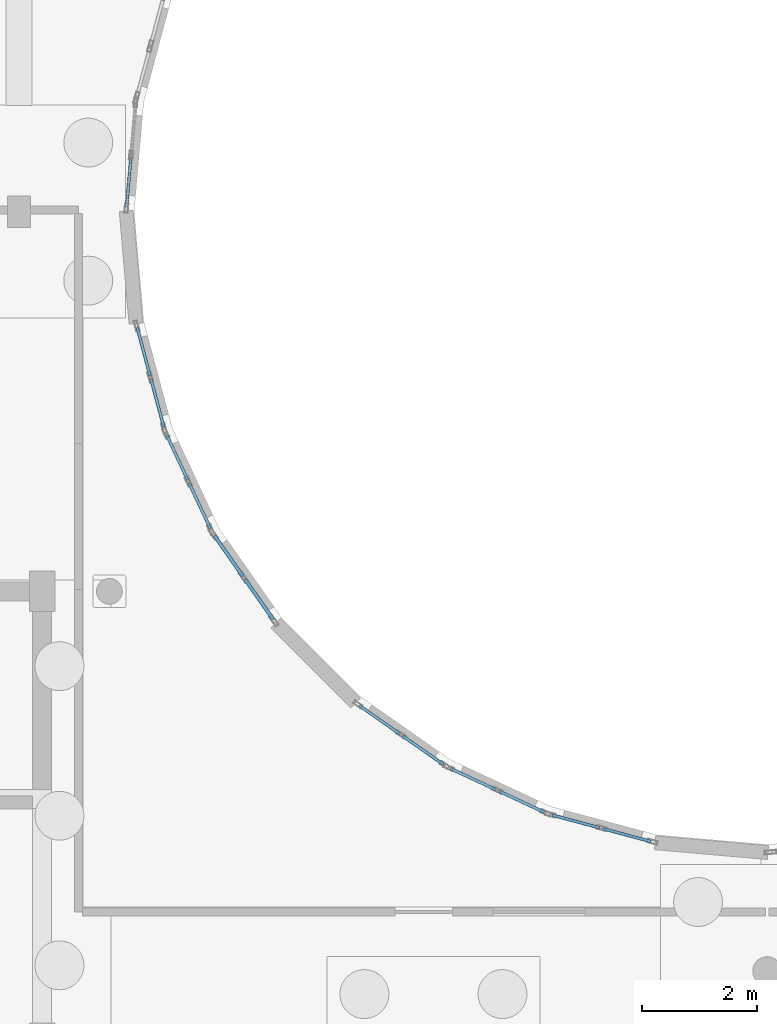
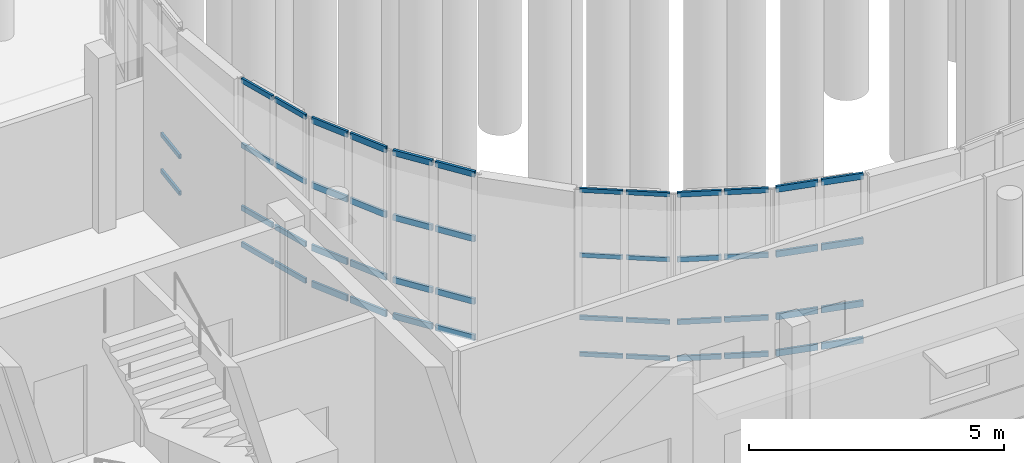
# One storey, part 39 of 93: 50 members, 7 elements without a shape of their own.
"""IFC4 building model written with IfcOpenShell, lengths in metres."""

from ifc_helpers import new_model, si_unit, direction, frame, origin, origin_2d, place, context, subcontext, project, spatial, hollow_rectangle, extrude, material, layer, layer_set, material_profile, profile_set, type_object, element, aggregate, save


model = new_model("IFC4")

# Units and contexts
model_context = context("Model", 3, precision=1e-05, world=origin(), true_north=direction((0.0, 1.0)))
body_context = subcontext(model_context, "Body", "Model", "MODEL_VIEW")
ifc_project = project(units=[si_unit("LENGTHUNIT", "METRE"), si_unit("AREAUNIT", "SQUARE_METRE"), si_unit("VOLUMEUNIT", "CUBIC_METRE"), si_unit("PLANEANGLEUNIT", "RADIAN"), si_unit("MASSUNIT", "GRAM", prefix="KILO")], contexts=[model_context])

# Site, building, storey
site_placement = place(None, origin())
site = spatial("IfcSite", under=ifc_project, at=site_placement, CompositionType="ELEMENT")
building_placement = place(site_placement, origin())
building = spatial("IfcBuilding", under=site, at=building_placement, Name="Kelanivale Promenade Academy", CompositionType="ELEMENT")
storey_placement = place(building_placement, origin())
storey = spatial("IfcBuildingStorey", under=building, at=storey_placement, Name="L00", CompositionType="ELEMENT", Elevation=0.0)

# Curtain wall, members
ifc_material_1 = material(Name="Bronze anodised aluminium and solar-control low-E glass", Category="aluminium")
ifc_layer_1 = layer(ifc_material_1, 0.169921875)
ifc_layer_set_1 = layer_set([ifc_layer_1], Name="Bronze anodised aluminium and solar-control low-E glass")
curtain_wall_type_1 = type_object("IfcCurtainWallType", Name="CW-13 Curtain Wall 1350mm Module", PredefinedType="USERDEFINED", material=ifc_layer_set_1)
curtain_wall_1_placement = place(storey_placement, origin())
curtain_wall_1 = element("IfcCurtainWall", 1, at=curtain_wall_1_placement, inside=storey, type_object=curtain_wall_type_1, Name="L00 courtyard curtain wall CW-13", ObjectType="COURTYARD SCREEN GLAZING", PredefinedType="USERDEFINED")
ifc_material_2 = material(Name="Bronze anodised aluminium EN AW-6063 T6", Category="aluminium")
ifc_material_profile_1 = material_profile(ifc_material_2, hollow_rectangle(XDim=0.050048828125, YDim=0.10009765625, WallThickness=0.0029296875, at=origin_2d()), Name="ALU 50x100x3.0")
ifc_profile_set_1 = profile_set([ifc_material_profile_1], Name="Bronze anodised aluminium EN AW-6063 T6")
member_type_1 = type_object("IfcMemberType", Name="CWT-01 ALU 50x100x3.0", PredefinedType="USERDEFINED", material=ifc_profile_set_1)
member_1_placement = place(storey_placement, frame((52.34228515625, 57.74462890625, 0.02490234375), z_axis=(-0.087033311997, -0.996205401814, 0.0), x_axis=(0.996205401814, -0.087033311997, 0.0)))
member_1 = element("IfcMember", 2, at=member_1_placement, type_object=member_type_1, Name="CW-13 transom 2.1", ObjectType="TRANSOM", PredefinedType="USERDEFINED", context=body_context, shape_type="SweptSolid", body=[
    extrude(hollow_rectangle(XDim=0.050048828125, YDim=0.10009765625, WallThickness=0.0029296875, at=origin_2d()), origin(), (0.0, 0.0, 1.0), 0.861083984375),
])
member_2_placement = place(storey_placement, frame((52.34228515625, 57.74462890625, 0.89990234375), z_axis=(-0.087033311997, -0.996205401814, 0.0), x_axis=(0.996205401814, -0.087033311997, 0.0)))
member_2 = element("IfcMember", 3, at=member_2_placement, type_object=member_type_1, Name="CW-13 transom 2.2", ObjectType="TRANSOM", PredefinedType="USERDEFINED", context=body_context, shape_type="SweptSolid", body=[
    extrude(hollow_rectangle(XDim=0.050048828125, YDim=0.10009765625, WallThickness=0.0029296875, at=origin_2d()), origin(), (0.0, 0.0, 1.0), 0.861083984375),
])
aggregate(curtain_wall_1, [member_1, member_2])

ifc_layer_2 = layer(ifc_material_1, 0.179931640625)
ifc_layer_set_2 = layer_set([ifc_layer_2], Name="Bronze anodised aluminium and solar-control low-E glass")
curtain_wall_type_2 = type_object("IfcCurtainWallType", Name="CW-17 Curtain Wall 1950mm Module", PredefinedType="USERDEFINED", material=ifc_layer_set_2)
curtain_wall_2_placement = place(storey_placement, origin())
curtain_wall_2 = element("IfcCurtainWall", 4, at=curtain_wall_2_placement, inside=storey, type_object=curtain_wall_type_2, Name="L00 courtyard curtain wall CW-17", ObjectType="COURTYARD SCREEN GLAZING", PredefinedType="USERDEFINED")
member_3_placement = place(storey_placement, frame((56.31005859375, 48.215576171875, 0.02490234375), z_axis=(0.819325110144, -0.573329193297, 0.0), x_axis=(0.573329193297, 0.819325110144, 0.0)))
member_3 = element("IfcMember", 5, at=member_3_placement, type_object=member_type_1, Name="CW-17 transom 1.1", ObjectType="TRANSOM", PredefinedType="USERDEFINED", context=body_context, shape_type="SweptSolid", body=[
    extrude(hollow_rectangle(XDim=0.050048828125, YDim=0.10009765625, WallThickness=0.0029296875, at=origin_2d()), origin(), (0.0, 0.0, 1.0), 0.861572265625),
])
member_4_placement = place(storey_placement, frame((56.31005859375, 48.215576171875, 0.89990234375), z_axis=(0.819325110144, -0.573329193297, 0.0), x_axis=(0.573329193297, 0.819325110144, 0.0)))
member_4 = element("IfcMember", 6, at=member_4_placement, type_object=member_type_1, Name="CW-17 transom 1.2", ObjectType="TRANSOM", PredefinedType="USERDEFINED", context=body_context, shape_type="SweptSolid", body=[
    extrude(hollow_rectangle(XDim=0.050048828125, YDim=0.10009765625, WallThickness=0.0029296875, at=origin_2d()), origin(), (0.0, 0.0, 1.0), 0.861572265625),
])
member_5_placement = place(storey_placement, frame((56.31005859375, 48.215576171875, 2.39990234375), z_axis=(0.819325110144, -0.573329193297, 0.0), x_axis=(0.573329193297, 0.819325110144, 0.0)))
member_5 = element("IfcMember", 7, at=member_5_placement, type_object=member_type_1, Name="CW-17 transom 1.3", ObjectType="TRANSOM", PredefinedType="USERDEFINED", context=body_context, shape_type="SweptSolid", body=[
    extrude(hollow_rectangle(XDim=0.050048828125, YDim=0.10009765625, WallThickness=0.0029296875, at=origin_2d()), origin(), (0.0, 0.0, 1.0), 0.861572265625),
])
member_6_placement = place(storey_placement, frame((56.31005859375, 48.215576171875, 3.955078125), z_axis=(0.819325110144, -0.573329193297, 0.0), x_axis=(0.573329193297, 0.819325110144, 0.0)))
member_6 = element("IfcMember", 8, at=member_6_placement, type_object=member_type_1, Name="CW-17 transom 1.4", ObjectType="TRANSOM", PredefinedType="USERDEFINED", context=body_context, shape_type="SweptSolid", body=[
    extrude(hollow_rectangle(XDim=0.050048828125, YDim=0.10009765625, WallThickness=0.0029296875, at=origin_2d()), origin(), (0.0, 0.0, 1.0), 0.861572265625),
])
member_7_placement = place(storey_placement, frame((57.065185546875, 47.687255859375, 0.02490234375), z_axis=(0.819231920519, -0.573462344363, 0.0), x_axis=(0.573462344363, 0.819231920519, 0.0)))
member_7 = element("IfcMember", 9, at=member_7_placement, type_object=member_type_1, Name="CW-17 transom 2.1", ObjectType="TRANSOM", PredefinedType="USERDEFINED", context=body_context, shape_type="SweptSolid", body=[
    extrude(hollow_rectangle(XDim=0.050048828125, YDim=0.10009765625, WallThickness=0.0029296875, at=origin_2d()), origin(), (0.0, 0.0, 1.0), 0.861328125),
])
member_8_placement = place(storey_placement, frame((57.065185546875, 47.687255859375, 0.89990234375), z_axis=(0.819231920519, -0.573462344363, 0.0), x_axis=(0.573462344363, 0.819231920519, 0.0)))
member_8 = element("IfcMember", 10, at=member_8_placement, type_object=member_type_1, Name="CW-17 transom 2.2", ObjectType="TRANSOM", PredefinedType="USERDEFINED", context=body_context, shape_type="SweptSolid", body=[
    extrude(hollow_rectangle(XDim=0.050048828125, YDim=0.10009765625, WallThickness=0.0029296875, at=origin_2d()), origin(), (0.0, 0.0, 1.0), 0.861328125),
])
member_9_placement = place(storey_placement, frame((57.065185546875, 47.687255859375, 2.39990234375), z_axis=(0.819231920519, -0.573462344363, 0.0), x_axis=(0.573462344363, 0.819231920519, 0.0)))
member_9 = element("IfcMember", 11, at=member_9_placement, type_object=member_type_1, Name="CW-17 transom 2.3", ObjectType="TRANSOM", PredefinedType="USERDEFINED", context=body_context, shape_type="SweptSolid", body=[
    extrude(hollow_rectangle(XDim=0.050048828125, YDim=0.10009765625, WallThickness=0.0029296875, at=origin_2d()), origin(), (0.0, 0.0, 1.0), 0.861328125),
])
member_10_placement = place(storey_placement, frame((57.065185546875, 47.687255859375, 3.955078125), z_axis=(0.819231920519, -0.573462344363, 0.0), x_axis=(0.573462344363, 0.819231920519, 0.0)))
member_10 = element("IfcMember", 12, at=member_10_placement, type_object=member_type_1, Name="CW-17 transom 2.4", ObjectType="TRANSOM", PredefinedType="USERDEFINED", context=body_context, shape_type="SweptSolid", body=[
    extrude(hollow_rectangle(XDim=0.050048828125, YDim=0.10009765625, WallThickness=0.0029296875, at=origin_2d()), origin(), (0.0, 0.0, 1.0), 0.861328125),
])
aggregate(curtain_wall_2, [member_3, member_4, member_5, member_6, member_7, member_8, member_9, member_10])

ifc_layer_3 = layer(ifc_material_1, 0.179931640625)
ifc_layer_set_3 = layer_set([ifc_layer_3], Name="Bronze anodised aluminium and solar-control low-E glass")
curtain_wall_type_3 = type_object("IfcCurtainWallType", Name="CW-14 Curtain Wall 1500mm Module", PredefinedType="USERDEFINED", material=ifc_layer_set_3)
curtain_wall_3_placement = place(storey_placement, origin())
curtain_wall_3 = element("IfcCurtainWall", 13, at=curtain_wall_3_placement, inside=storey, type_object=curtain_wall_type_3, Name="L00 courtyard curtain wall CW-14", ObjectType="COURTYARD SCREEN GLAZING", PredefinedType="USERDEFINED")
ifc_material_profile_2 = material_profile(ifc_material_2, hollow_rectangle(XDim=0.050048828125, YDim=0.1201171875, WallThickness=0.0029296875, at=origin_2d()), Name="ALU 50x120x3.0")
ifc_profile_set_2 = profile_set([ifc_material_profile_2], Name="Bronze anodised aluminium EN AW-6063 T6")
member_type_2 = type_object("IfcMemberType", Name="CWT-02 ALU 50x120x3.0", PredefinedType="USERDEFINED", material=ifc_profile_set_2)
member_11_placement = place(storey_placement, frame((52.451416015625, 54.781982421875, 0.02490234375), z_axis=(0.258773864781, -0.965937931187, 0.0), x_axis=(0.965937931187, 0.258773864781, 0.0)))
member_11 = element("IfcMember", 14, at=member_11_placement, type_object=member_type_2, Name="CW-14 transom 1.1", ObjectType="TRANSOM", PredefinedType="USERDEFINED", context=body_context, shape_type="SweptSolid", body=[
    extrude(hollow_rectangle(XDim=0.050048828125, YDim=0.1201171875, WallThickness=0.0029296875, at=origin_2d()), origin(), (0.0, 0.0, 1.0), 0.861328125),
])
member_12_placement = place(storey_placement, frame((52.451416015625, 54.781982421875, 0.89990234375), z_axis=(0.258773864781, -0.965937931187, 0.0), x_axis=(0.965937931187, 0.258773864781, 0.0)))
member_12 = element("IfcMember", 15, at=member_12_placement, type_object=member_type_2, Name="CW-14 transom 1.2", ObjectType="TRANSOM", PredefinedType="USERDEFINED", context=body_context, shape_type="SweptSolid", body=[
    extrude(hollow_rectangle(XDim=0.050048828125, YDim=0.1201171875, WallThickness=0.0029296875, at=origin_2d()), origin(), (0.0, 0.0, 1.0), 0.861328125),
])
member_13_placement = place(storey_placement, frame((52.451416015625, 54.781982421875, 2.39990234375), z_axis=(0.258773864781, -0.965937931187, 0.0), x_axis=(0.965937931187, 0.258773864781, 0.0)))
member_13 = element("IfcMember", 16, at=member_13_placement, type_object=member_type_2, Name="CW-14 transom 1.3", ObjectType="TRANSOM", PredefinedType="USERDEFINED", context=body_context, shape_type="SweptSolid", body=[
    extrude(hollow_rectangle(XDim=0.050048828125, YDim=0.1201171875, WallThickness=0.0029296875, at=origin_2d()), origin(), (0.0, 0.0, 1.0), 0.861328125),
])
member_14_placement = place(storey_placement, frame((52.451416015625, 54.781982421875, 3.955078125), z_axis=(0.258773864781, -0.965937931187, 0.0), x_axis=(0.965937931187, 0.258773864781, 0.0)))
member_14 = element("IfcMember", 17, at=member_14_placement, type_object=member_type_2, Name="CW-14 transom 1.4", ObjectType="TRANSOM", PredefinedType="USERDEFINED", context=body_context, shape_type="SweptSolid", body=[
    extrude(hollow_rectangle(XDim=0.050048828125, YDim=0.1201171875, WallThickness=0.0029296875, at=origin_2d()), origin(), (0.0, 0.0, 1.0), 0.861328125),
])
member_15_placement = place(storey_placement, frame((52.689697265625, 53.89208984375, 0.02490234375), z_axis=(0.258773864781, -0.965937931187, 0.0), x_axis=(0.965937931187, 0.258773864781, 0.0)))
member_15 = element("IfcMember", 18, at=member_15_placement, type_object=member_type_2, Name="CW-14 transom 2.1", ObjectType="TRANSOM", PredefinedType="USERDEFINED", context=body_context, shape_type="SweptSolid", body=[
    extrude(hollow_rectangle(XDim=0.050048828125, YDim=0.1201171875, WallThickness=0.0029296875, at=origin_2d()), origin(), (0.0, 0.0, 1.0), 0.861328125),
])
member_16_placement = place(storey_placement, frame((52.689697265625, 53.89208984375, 0.89990234375), z_axis=(0.258773864781, -0.965937931187, 0.0), x_axis=(0.965937931187, 0.258773864781, 0.0)))
member_16 = element("IfcMember", 19, at=member_16_placement, type_object=member_type_2, Name="CW-14 transom 2.2", ObjectType="TRANSOM", PredefinedType="USERDEFINED", context=body_context, shape_type="SweptSolid", body=[
    extrude(hollow_rectangle(XDim=0.050048828125, YDim=0.1201171875, WallThickness=0.0029296875, at=origin_2d()), origin(), (0.0, 0.0, 1.0), 0.861328125),
])
member_17_placement = place(storey_placement, frame((52.689697265625, 53.89208984375, 2.39990234375), z_axis=(0.258773864781, -0.965937931187, 0.0), x_axis=(0.965937931187, 0.258773864781, 0.0)))
member_17 = element("IfcMember", 20, at=member_17_placement, type_object=member_type_2, Name="CW-14 transom 2.3", ObjectType="TRANSOM", PredefinedType="USERDEFINED", context=body_context, shape_type="SweptSolid", body=[
    extrude(hollow_rectangle(XDim=0.050048828125, YDim=0.1201171875, WallThickness=0.0029296875, at=origin_2d()), origin(), (0.0, 0.0, 1.0), 0.861328125),
])
member_18_placement = place(storey_placement, frame((52.689697265625, 53.89208984375, 3.955078125), z_axis=(0.258773864781, -0.965937931187, 0.0), x_axis=(0.965937931187, 0.258773864781, 0.0)))
member_18 = element("IfcMember", 21, at=member_18_placement, type_object=member_type_2, Name="CW-14 transom 2.4", ObjectType="TRANSOM", PredefinedType="USERDEFINED", context=body_context, shape_type="SweptSolid", body=[
    extrude(hollow_rectangle(XDim=0.050048828125, YDim=0.1201171875, WallThickness=0.0029296875, at=origin_2d()), origin(), (0.0, 0.0, 1.0), 0.861328125),
])
aggregate(curtain_wall_3, [member_11, member_12, member_13, member_14, member_15, member_16, member_17, member_18])

ifc_layer_4 = layer(ifc_material_1, 0.159912109375)
ifc_layer_set_4 = layer_set([ifc_layer_4], Name="Bronze anodised aluminium and solar-control low-E glass")
curtain_wall_type_4 = type_object("IfcCurtainWallType", Name="CW-18 Curtain Wall 1200mm Module", PredefinedType="USERDEFINED", material=ifc_layer_set_4)
curtain_wall_4_placement = place(storey_placement, origin())
curtain_wall_4 = element("IfcCurtainWall", 22, at=curtain_wall_4_placement, inside=storey, type_object=curtain_wall_type_4, Name="L00 courtyard curtain wall CW-18", ObjectType="COURTYARD SCREEN GLAZING", PredefinedType="USERDEFINED")
member_19_placement = place(storey_placement, frame((57.895263671875, 47.12158203125, 0.02490234375), z_axis=(0.906233370313, -0.422777812251, 0.0), x_axis=(0.422777812251, 0.906233370313, 0.0)))
member_19 = element("IfcMember", 23, at=member_19_placement, type_object=member_type_2, Name="CW-18 transom 1.1", ObjectType="TRANSOM", PredefinedType="USERDEFINED", context=body_context, shape_type="SweptSolid", body=[
    extrude(hollow_rectangle(XDim=0.050048828125, YDim=0.1201171875, WallThickness=0.0029296875, at=origin_2d()), origin(), (0.0, 0.0, 1.0), 0.869140625),
])
member_20_placement = place(storey_placement, frame((57.895263671875, 47.12158203125, 0.89990234375), z_axis=(0.906233370313, -0.422777812251, 0.0), x_axis=(0.422777812251, 0.906233370313, 0.0)))
member_20 = element("IfcMember", 24, at=member_20_placement, type_object=member_type_2, Name="CW-18 transom 1.2", ObjectType="TRANSOM", PredefinedType="USERDEFINED", context=body_context, shape_type="SweptSolid", body=[
    extrude(hollow_rectangle(XDim=0.050048828125, YDim=0.1201171875, WallThickness=0.0029296875, at=origin_2d()), origin(), (0.0, 0.0, 1.0), 0.869140625),
])
member_21_placement = place(storey_placement, frame((57.895263671875, 47.12158203125, 2.39990234375), z_axis=(0.906233370313, -0.422777812251, 0.0), x_axis=(0.422777812251, 0.906233370313, 0.0)))
member_21 = element("IfcMember", 25, at=member_21_placement, type_object=member_type_2, Name="CW-18 transom 1.3", ObjectType="TRANSOM", PredefinedType="USERDEFINED", context=body_context, shape_type="SweptSolid", body=[
    extrude(hollow_rectangle(XDim=0.050048828125, YDim=0.1201171875, WallThickness=0.0029296875, at=origin_2d()), origin(), (0.0, 0.0, 1.0), 0.869140625),
])
member_22_placement = place(storey_placement, frame((57.895263671875, 47.12158203125, 3.955078125), z_axis=(0.906233370313, -0.422777812251, 0.0), x_axis=(0.422777812251, 0.906233370313, 0.0)))
member_22 = element("IfcMember", 26, at=member_22_placement, type_object=member_type_2, Name="CW-18 transom 1.4", ObjectType="TRANSOM", PredefinedType="USERDEFINED", context=body_context, shape_type="SweptSolid", body=[
    extrude(hollow_rectangle(XDim=0.050048828125, YDim=0.1201171875, WallThickness=0.0029296875, at=origin_2d()), origin(), (0.0, 0.0, 1.0), 0.869140625),
])
member_23_placement = place(storey_placement, frame((58.7373046875, 46.728759765625, 0.02490234375), z_axis=(0.906183139995, -0.422885465331, 0.0), x_axis=(0.422885465331, 0.906183139995, 0.0)))
member_23 = element("IfcMember", 27, at=member_23_placement, type_object=member_type_2, Name="CW-18 transom 2.1", ObjectType="TRANSOM", PredefinedType="USERDEFINED", context=body_context, shape_type="SweptSolid", body=[
    extrude(hollow_rectangle(XDim=0.050048828125, YDim=0.1201171875, WallThickness=0.0029296875, at=origin_2d()), origin(), (0.0, 0.0, 1.0), 0.868896484375),
])
member_24_placement = place(storey_placement, frame((58.7373046875, 46.728759765625, 0.89990234375), z_axis=(0.906183139995, -0.422885465331, 0.0), x_axis=(0.422885465331, 0.906183139995, 0.0)))
member_24 = element("IfcMember", 28, at=member_24_placement, type_object=member_type_2, Name="CW-18 transom 2.2", ObjectType="TRANSOM", PredefinedType="USERDEFINED", context=body_context, shape_type="SweptSolid", body=[
    extrude(hollow_rectangle(XDim=0.050048828125, YDim=0.1201171875, WallThickness=0.0029296875, at=origin_2d()), origin(), (0.0, 0.0, 1.0), 0.868896484375),
])
member_25_placement = place(storey_placement, frame((58.7373046875, 46.728759765625, 2.39990234375), z_axis=(0.906183139995, -0.422885465331, 0.0), x_axis=(0.422885465331, 0.906183139995, 0.0)))
member_25 = element("IfcMember", 29, at=member_25_placement, type_object=member_type_2, Name="CW-18 transom 2.3", ObjectType="TRANSOM", PredefinedType="USERDEFINED", context=body_context, shape_type="SweptSolid", body=[
    extrude(hollow_rectangle(XDim=0.050048828125, YDim=0.1201171875, WallThickness=0.0029296875, at=origin_2d()), origin(), (0.0, 0.0, 1.0), 0.868896484375),
])
member_26_placement = place(storey_placement, frame((58.7373046875, 46.728759765625, 3.955078125), z_axis=(0.906183139995, -0.422885465331, 0.0), x_axis=(0.422885465331, 0.906183139995, 0.0)))
member_26 = element("IfcMember", 30, at=member_26_placement, type_object=member_type_2, Name="CW-18 transom 2.4", ObjectType="TRANSOM", PredefinedType="USERDEFINED", context=body_context, shape_type="SweptSolid", body=[
    extrude(hollow_rectangle(XDim=0.050048828125, YDim=0.1201171875, WallThickness=0.0029296875, at=origin_2d()), origin(), (0.0, 0.0, 1.0), 0.868896484375),
])
aggregate(curtain_wall_4, [member_19, member_20, member_21, member_22, member_23, member_24, member_25, member_26])

ifc_layer_5 = layer(ifc_material_1, 0.159912109375)
ifc_layer_set_5 = layer_set([ifc_layer_5], Name="Bronze anodised aluminium and solar-control low-E glass")
curtain_wall_type_5 = type_object("IfcCurtainWallType", Name="CW-15 Curtain Wall 1650mm Module", PredefinedType="USERDEFINED", material=ifc_layer_set_5)
curtain_wall_5_placement = place(storey_placement, origin())
curtain_wall_5 = element("IfcCurtainWall", 31, at=curtain_wall_5_placement, inside=storey, type_object=curtain_wall_type_5, Name="L00 courtyard curtain wall CW-15", ObjectType="COURTYARD SCREEN GLAZING", PredefinedType="USERDEFINED")
ifc_material_profile_3 = material_profile(ifc_material_2, hollow_rectangle(XDim=0.050048828125, YDim=0.14990234375, WallThickness=0.00341796875, at=origin_2d()), Name="ALU 50x150x3.5")
ifc_profile_set_3 = profile_set([ifc_material_profile_3], Name="Bronze anodised aluminium EN AW-6063 T6")
member_type_3 = type_object("IfcMemberType", Name="CWT-03 ALU 50x150x3.5", PredefinedType="USERDEFINED", material=ifc_profile_set_3)
member_27_placement = place(storey_placement, frame((52.96337890625, 52.920166015625, 0.02490234375), z_axis=(0.422792384407, -0.906226571939, 0.0), x_axis=(0.906226571939, 0.422792384407, 0.0)))
member_27 = element("IfcMember", 32, at=member_27_placement, type_object=member_type_3, Name="CW-15 transom 1.1", ObjectType="TRANSOM", PredefinedType="USERDEFINED", context=body_context, shape_type="SweptSolid", body=[
    extrude(hollow_rectangle(XDim=0.050048828125, YDim=0.14990234375, WallThickness=0.00341796875, at=origin_2d()), origin(), (0.0, 0.0, 1.0), 0.861572265625),
])
member_28_placement = place(storey_placement, frame((52.96337890625, 52.920166015625, 0.89990234375), z_axis=(0.422792384407, -0.906226571939, 0.0), x_axis=(0.906226571939, 0.422792384407, 0.0)))
member_28 = element("IfcMember", 33, at=member_28_placement, type_object=member_type_3, Name="CW-15 transom 1.2", ObjectType="TRANSOM", PredefinedType="USERDEFINED", context=body_context, shape_type="SweptSolid", body=[
    extrude(hollow_rectangle(XDim=0.050048828125, YDim=0.14990234375, WallThickness=0.00341796875, at=origin_2d()), origin(), (0.0, 0.0, 1.0), 0.861572265625),
])
member_29_placement = place(storey_placement, frame((52.96337890625, 52.920166015625, 2.39990234375), z_axis=(0.422792384407, -0.906226571939, 0.0), x_axis=(0.906226571939, 0.422792384407, 0.0)))
member_29 = element("IfcMember", 34, at=member_29_placement, type_object=member_type_3, Name="CW-15 transom 1.3", ObjectType="TRANSOM", PredefinedType="USERDEFINED", context=body_context, shape_type="SweptSolid", body=[
    extrude(hollow_rectangle(XDim=0.050048828125, YDim=0.14990234375, WallThickness=0.00341796875, at=origin_2d()), origin(), (0.0, 0.0, 1.0), 0.861572265625),
])
member_30_placement = place(storey_placement, frame((52.96337890625, 52.920166015625, 3.955078125), z_axis=(0.422792384407, -0.906226571939, 0.0), x_axis=(0.906226571939, 0.422792384407, 0.0)))
member_30 = element("IfcMember", 35, at=member_30_placement, type_object=member_type_3, Name="CW-15 transom 1.4", ObjectType="TRANSOM", PredefinedType="USERDEFINED", context=body_context, shape_type="SweptSolid", body=[
    extrude(hollow_rectangle(XDim=0.050048828125, YDim=0.14990234375, WallThickness=0.00341796875, at=origin_2d()), origin(), (0.0, 0.0, 1.0), 0.861572265625),
])
member_31_placement = place(storey_placement, frame((53.355224609375, 52.08056640625, 0.02490234375), z_axis=(0.422792384407, -0.906226571939, 0.0), x_axis=(0.906226571939, 0.422792384407, 0.0)))
member_31 = element("IfcMember", 36, at=member_31_placement, type_object=member_type_3, Name="CW-15 transom 2.1", ObjectType="TRANSOM", PredefinedType="USERDEFINED", context=body_context, shape_type="SweptSolid", body=[
    extrude(hollow_rectangle(XDim=0.050048828125, YDim=0.14990234375, WallThickness=0.00341796875, at=origin_2d()), origin(), (0.0, 0.0, 1.0), 0.861572265625),
])
member_32_placement = place(storey_placement, frame((53.355224609375, 52.08056640625, 0.89990234375), z_axis=(0.422792384407, -0.906226571939, 0.0), x_axis=(0.906226571939, 0.422792384407, 0.0)))
member_32 = element("IfcMember", 37, at=member_32_placement, type_object=member_type_3, Name="CW-15 transom 2.2", ObjectType="TRANSOM", PredefinedType="USERDEFINED", context=body_context, shape_type="SweptSolid", body=[
    extrude(hollow_rectangle(XDim=0.050048828125, YDim=0.14990234375, WallThickness=0.00341796875, at=origin_2d()), origin(), (0.0, 0.0, 1.0), 0.861572265625),
])
member_33_placement = place(storey_placement, frame((53.355224609375, 52.08056640625, 2.39990234375), z_axis=(0.422792384407, -0.906226571939, 0.0), x_axis=(0.906226571939, 0.422792384407, 0.0)))
member_33 = element("IfcMember", 38, at=member_33_placement, type_object=member_type_3, Name="CW-15 transom 2.3", ObjectType="TRANSOM", PredefinedType="USERDEFINED", context=body_context, shape_type="SweptSolid", body=[
    extrude(hollow_rectangle(XDim=0.050048828125, YDim=0.14990234375, WallThickness=0.00341796875, at=origin_2d()), origin(), (0.0, 0.0, 1.0), 0.861572265625),
])
member_34_placement = place(storey_placement, frame((53.355224609375, 52.08056640625, 3.955078125), z_axis=(0.422792384407, -0.906226571939, 0.0), x_axis=(0.906226571939, 0.422792384407, 0.0)))
member_34 = element("IfcMember", 39, at=member_34_placement, type_object=member_type_3, Name="CW-15 transom 2.4", ObjectType="TRANSOM", PredefinedType="USERDEFINED", context=body_context, shape_type="SweptSolid", body=[
    extrude(hollow_rectangle(XDim=0.050048828125, YDim=0.14990234375, WallThickness=0.00341796875, at=origin_2d()), origin(), (0.0, 0.0, 1.0), 0.861572265625),
])
aggregate(curtain_wall_5, [member_27, member_28, member_29, member_30, member_31, member_32, member_33, member_34])

ifc_layer_6 = layer(ifc_material_1, 0.169921875)
ifc_layer_set_6 = layer_set([ifc_layer_6], Name="Bronze anodised aluminium and solar-control low-E glass")
curtain_wall_type_6 = type_object("IfcCurtainWallType", Name="CW-19 Curtain Wall 1350mm Module", PredefinedType="USERDEFINED", material=ifc_layer_set_6)
curtain_wall_6_placement = place(storey_placement, origin())
curtain_wall_6 = element("IfcCurtainWall", 40, at=curtain_wall_6_placement, inside=storey, type_object=curtain_wall_type_6, Name="L00 courtyard curtain wall CW-19", ObjectType="COURTYARD SCREEN GLAZING", PredefinedType="USERDEFINED")
member_35_placement = place(storey_placement, frame((59.664794921875, 46.311279296875, 0.02490234375), z_axis=(0.965935288552, -0.258783728875, 0.0), x_axis=(0.258783728875, 0.965935288552, 0.0)))
member_35 = element("IfcMember", 41, at=member_35_placement, type_object=member_type_3, Name="CW-19 transom 1.1", ObjectType="TRANSOM", PredefinedType="USERDEFINED", context=body_context, shape_type="SweptSolid", body=[
    extrude(hollow_rectangle(XDim=0.050048828125, YDim=0.14990234375, WallThickness=0.00341796875, at=origin_2d()), origin(), (0.0, 0.0, 1.0), 0.853759765625),
])
member_36_placement = place(storey_placement, frame((59.664794921875, 46.311279296875, 0.89990234375), z_axis=(0.965935288552, -0.258783728875, 0.0), x_axis=(0.258783728875, 0.965935288552, 0.0)))
member_36 = element("IfcMember", 42, at=member_36_placement, type_object=member_type_3, Name="CW-19 transom 1.2", ObjectType="TRANSOM", PredefinedType="USERDEFINED", context=body_context, shape_type="SweptSolid", body=[
    extrude(hollow_rectangle(XDim=0.050048828125, YDim=0.14990234375, WallThickness=0.00341796875, at=origin_2d()), origin(), (0.0, 0.0, 1.0), 0.853759765625),
])
member_37_placement = place(storey_placement, frame((59.664794921875, 46.311279296875, 2.39990234375), z_axis=(0.965935288552, -0.258783728875, 0.0), x_axis=(0.258783728875, 0.965935288552, 0.0)))
member_37 = element("IfcMember", 43, at=member_37_placement, type_object=member_type_3, Name="CW-19 transom 1.3", ObjectType="TRANSOM", PredefinedType="USERDEFINED", context=body_context, shape_type="SweptSolid", body=[
    extrude(hollow_rectangle(XDim=0.050048828125, YDim=0.14990234375, WallThickness=0.00341796875, at=origin_2d()), origin(), (0.0, 0.0, 1.0), 0.853759765625),
])
member_38_placement = place(storey_placement, frame((59.664794921875, 46.311279296875, 3.955078125), z_axis=(0.965935288552, -0.258783728875, 0.0), x_axis=(0.258783728875, 0.965935288552, 0.0)))
member_38 = element("IfcMember", 44, at=member_38_placement, type_object=member_type_3, Name="CW-19 transom 1.4", ObjectType="TRANSOM", PredefinedType="USERDEFINED", context=body_context, shape_type="SweptSolid", body=[
    extrude(hollow_rectangle(XDim=0.050048828125, YDim=0.14990234375, WallThickness=0.00341796875, at=origin_2d()), origin(), (0.0, 0.0, 1.0), 0.853759765625),
])
member_39_placement = place(storey_placement, frame((60.552490234375, 46.073486328125, 0.02490234375), z_axis=(0.966006735151, -0.258516900111, 0.0), x_axis=(0.258516900111, 0.966006735151, 0.0)))
member_39 = element("IfcMember", 45, at=member_39_placement, type_object=member_type_3, Name="CW-19 transom 2.1", ObjectType="TRANSOM", PredefinedType="USERDEFINED", context=body_context, shape_type="SweptSolid", body=[
    extrude(hollow_rectangle(XDim=0.050048828125, YDim=0.14990234375, WallThickness=0.00341796875, at=origin_2d()), origin(), (0.0, 0.0, 1.0), 0.853759765625),
])
member_40_placement = place(storey_placement, frame((60.552490234375, 46.073486328125, 0.89990234375), z_axis=(0.966006735151, -0.258516900111, 0.0), x_axis=(0.258516900111, 0.966006735151, 0.0)))
member_40 = element("IfcMember", 46, at=member_40_placement, type_object=member_type_3, Name="CW-19 transom 2.2", ObjectType="TRANSOM", PredefinedType="USERDEFINED", context=body_context, shape_type="SweptSolid", body=[
    extrude(hollow_rectangle(XDim=0.050048828125, YDim=0.14990234375, WallThickness=0.00341796875, at=origin_2d()), origin(), (0.0, 0.0, 1.0), 0.853759765625),
])
member_41_placement = place(storey_placement, frame((60.552490234375, 46.073486328125, 2.39990234375), z_axis=(0.966006735151, -0.258516900111, 0.0), x_axis=(0.258516900111, 0.966006735151, 0.0)))
member_41 = element("IfcMember", 47, at=member_41_placement, type_object=member_type_3, Name="CW-19 transom 2.3", ObjectType="TRANSOM", PredefinedType="USERDEFINED", context=body_context, shape_type="SweptSolid", body=[
    extrude(hollow_rectangle(XDim=0.050048828125, YDim=0.14990234375, WallThickness=0.00341796875, at=origin_2d()), origin(), (0.0, 0.0, 1.0), 0.853759765625),
])
member_42_placement = place(storey_placement, frame((60.552490234375, 46.073486328125, 3.955078125), z_axis=(0.966006735151, -0.258516900111, 0.0), x_axis=(0.258516900111, 0.966006735151, 0.0)))
member_42 = element("IfcMember", 48, at=member_42_placement, type_object=member_type_3, Name="CW-19 transom 2.4", ObjectType="TRANSOM", PredefinedType="USERDEFINED", context=body_context, shape_type="SweptSolid", body=[
    extrude(hollow_rectangle(XDim=0.050048828125, YDim=0.14990234375, WallThickness=0.00341796875, at=origin_2d()), origin(), (0.0, 0.0, 1.0), 0.853759765625),
])
aggregate(curtain_wall_6, [member_35, member_36, member_37, member_38, member_39, member_40, member_41, member_42])

ifc_layer_7 = layer(ifc_material_1, 0.169921875)
ifc_layer_set_7 = layer_set([ifc_layer_7], Name="Bronze anodised aluminium and solar-control low-E glass")
curtain_wall_type_7 = type_object("IfcCurtainWallType", Name="CW-16 Curtain Wall 1800mm Module", PredefinedType="USERDEFINED", material=ifc_layer_set_7)
curtain_wall_7_placement = place(storey_placement, origin())
curtain_wall_7 = element("IfcCurtainWall", 49, at=curtain_wall_7_placement, inside=storey, type_object=curtain_wall_type_7, Name="L00 courtyard curtain wall CW-16", ObjectType="COURTYARD SCREEN GLAZING", PredefinedType="USERDEFINED")
ifc_material_profile_4 = material_profile(ifc_material_2, hollow_rectangle(XDim=0.06005859375, YDim=0.139892578125, WallThickness=0.00341796875, at=origin_2d()), Name="ALU 60x140x3.5")
ifc_profile_set_4 = profile_set([ifc_material_profile_4], Name="Bronze anodised aluminium EN AW-6063 T6")
member_type_4 = type_object("IfcMemberType", Name="CWT-04 ALU 60x140x3.5", PredefinedType="USERDEFINED", material=ifc_profile_set_4)
member_43_placement = place(storey_placement, frame((53.79638671875, 51.166748046875, 0.030029296875), z_axis=(0.573232065648, -0.819393067406, 0.0), x_axis=(0.819393067406, 0.573232065648, 0.0)))
member_43 = element("IfcMember", 50, at=member_43_placement, type_object=member_type_4, Name="CW-16 transom 1.1", ObjectType="TRANSOM", PredefinedType="USERDEFINED", context=body_context, shape_type="SweptSolid", body=[
    extrude(hollow_rectangle(XDim=0.06005859375, YDim=0.139892578125, WallThickness=0.00341796875, at=origin_2d()), origin(), (0.0, 0.0, 1.0), 0.85400390625),
])
member_44_placement = place(storey_placement, frame((53.79638671875, 51.166748046875, 0.89990234375), z_axis=(0.573232065648, -0.819393067406, 0.0), x_axis=(0.819393067406, 0.573232065648, 0.0)))
member_44 = element("IfcMember", 51, at=member_44_placement, type_object=member_type_4, Name="CW-16 transom 1.2", ObjectType="TRANSOM", PredefinedType="USERDEFINED", context=body_context, shape_type="SweptSolid", body=[
    extrude(hollow_rectangle(XDim=0.06005859375, YDim=0.139892578125, WallThickness=0.00341796875, at=origin_2d()), origin(), (0.0, 0.0, 1.0), 0.85400390625),
])
member_45_placement = place(storey_placement, frame((53.79638671875, 51.166748046875, 2.39990234375), z_axis=(0.573232065648, -0.819393067406, 0.0), x_axis=(0.819393067406, 0.573232065648, 0.0)))
member_45 = element("IfcMember", 52, at=member_45_placement, type_object=member_type_4, Name="CW-16 transom 1.3", ObjectType="TRANSOM", PredefinedType="USERDEFINED", context=body_context, shape_type="SweptSolid", body=[
    extrude(hollow_rectangle(XDim=0.06005859375, YDim=0.139892578125, WallThickness=0.00341796875, at=origin_2d()), origin(), (0.0, 0.0, 1.0), 0.85400390625),
])
member_46_placement = place(storey_placement, frame((53.79638671875, 51.166748046875, 3.949951171875), z_axis=(0.573232065648, -0.819393067406, 0.0), x_axis=(0.819393067406, 0.573232065648, 0.0)))
member_46 = element("IfcMember", 53, at=member_46_placement, type_object=member_type_4, Name="CW-16 transom 1.4", ObjectType="TRANSOM", PredefinedType="USERDEFINED", context=body_context, shape_type="SweptSolid", body=[
    extrude(hollow_rectangle(XDim=0.06005859375, YDim=0.139892578125, WallThickness=0.00341796875, at=origin_2d()), origin(), (0.0, 0.0, 1.0), 0.85400390625),
])
member_47_placement = place(storey_placement, frame((54.3232421875, 50.413818359375, 0.030029296875), z_axis=(0.573366377923, -0.819299088653, 0.0), x_axis=(0.819299088653, 0.573366377923, 0.0)))
member_47 = element("IfcMember", 54, at=member_47_placement, type_object=member_type_4, Name="CW-16 transom 2.1", ObjectType="TRANSOM", PredefinedType="USERDEFINED", context=body_context, shape_type="SweptSolid", body=[
    extrude(hollow_rectangle(XDim=0.06005859375, YDim=0.139892578125, WallThickness=0.00341796875, at=origin_2d()), origin(), (0.0, 0.0, 1.0), 0.853759765625),
])
member_48_placement = place(storey_placement, frame((54.3232421875, 50.413818359375, 0.89990234375), z_axis=(0.573366377923, -0.819299088653, 0.0), x_axis=(0.819299088653, 0.573366377923, 0.0)))
member_48 = element("IfcMember", 55, at=member_48_placement, type_object=member_type_4, Name="CW-16 transom 2.2", ObjectType="TRANSOM", PredefinedType="USERDEFINED", context=body_context, shape_type="SweptSolid", body=[
    extrude(hollow_rectangle(XDim=0.06005859375, YDim=0.139892578125, WallThickness=0.00341796875, at=origin_2d()), origin(), (0.0, 0.0, 1.0), 0.853759765625),
])
member_49_placement = place(storey_placement, frame((54.3232421875, 50.413818359375, 2.39990234375), z_axis=(0.573366377923, -0.819299088653, 0.0), x_axis=(0.819299088653, 0.573366377923, 0.0)))
member_49 = element("IfcMember", 56, at=member_49_placement, type_object=member_type_4, Name="CW-16 transom 2.3", ObjectType="TRANSOM", PredefinedType="USERDEFINED", context=body_context, shape_type="SweptSolid", body=[
    extrude(hollow_rectangle(XDim=0.06005859375, YDim=0.139892578125, WallThickness=0.00341796875, at=origin_2d()), origin(), (0.0, 0.0, 1.0), 0.853759765625),
])
member_50_placement = place(storey_placement, frame((54.3232421875, 50.413818359375, 3.949951171875), z_axis=(0.573366377923, -0.819299088653, 0.0), x_axis=(0.819299088653, 0.573366377923, 0.0)))
member_50 = element("IfcMember", 57, at=member_50_placement, type_object=member_type_4, Name="CW-16 transom 2.4", ObjectType="TRANSOM", PredefinedType="USERDEFINED", context=body_context, shape_type="SweptSolid", body=[
    extrude(hollow_rectangle(XDim=0.06005859375, YDim=0.139892578125, WallThickness=0.00341796875, at=origin_2d()), origin(), (0.0, 0.0, 1.0), 0.853759765625),
])
aggregate(curtain_wall_7, [member_43, member_44, member_45, member_46, member_47, member_48, member_49, member_50])

save(model, "model.ifc")
